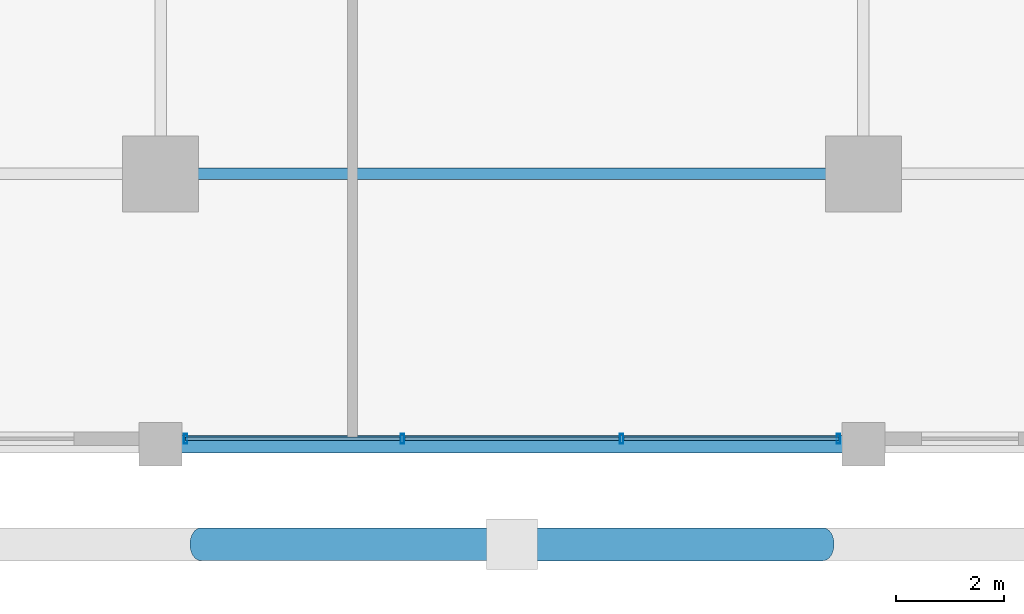
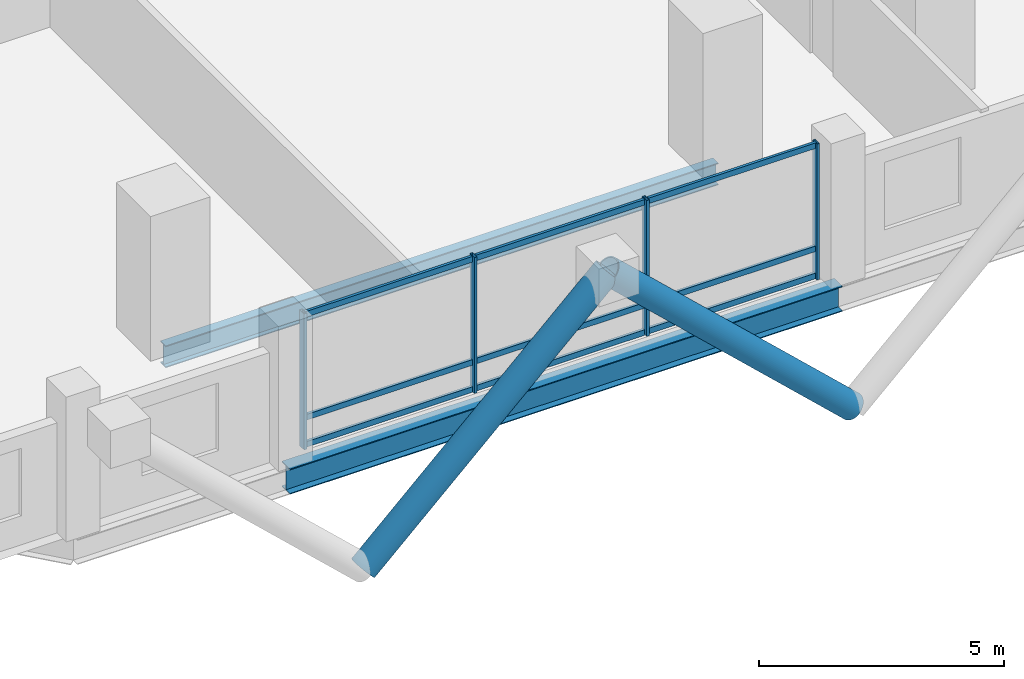
# One storey, part 2 of 21: 15 members, 2 beams, 1 element without a shape of its own.
"""IFC4 building model written with IfcOpenShell, lengths in metres."""

from ifc_helpers import new_model, si_unit, direction, frame, origin, origin_2d, place, context, subcontext, project, spatial, hollow_rectangle, hollow_circle, i_section, extrude, material, layer, layer_set, material_profile, profile_set, type_object, element, aggregate, save


model = new_model("IFC4")

# Units and contexts
model_context = context("Model", 3, precision=1e-05, world=origin(), true_north=direction((0.0, 1.0)))
body_context = subcontext(model_context, "Body", "Model", "MODEL_VIEW")
ifc_project = project(units=[si_unit("LENGTHUNIT", "METRE"), si_unit("AREAUNIT", "SQUARE_METRE"), si_unit("VOLUMEUNIT", "CUBIC_METRE"), si_unit("PLANEANGLEUNIT", "RADIAN"), si_unit("MASSUNIT", "GRAM", prefix="KILO")], contexts=[model_context])

# Site, building, storey
site_placement = place(None, origin())
site = spatial("IfcSite", under=ifc_project, at=site_placement, CompositionType="ELEMENT")
building_placement = place(site_placement, origin())
building = spatial("IfcBuilding", under=site, at=building_placement, Name="Barlavira Tower and Art Museum", CompositionType="ELEMENT")
storey_placement = place(building_placement, frame((0.0, 0.0, 79.199951171875)))
storey = spatial("IfcBuildingStorey", under=building, at=storey_placement, Name="L19", CompositionType="ELEMENT", Elevation=79.199951171875)

# Curtain wall, members
ifc_material_1 = material(Name="Low-iron coastal laminated glass", Category="glass")
ifc_layer = layer(ifc_material_1, 0.179931640625, Name="Low-iron coastal laminated glass")
ifc_layer_set = layer_set([ifc_layer], Name="Low-iron coastal laminated glass")
curtain_wall_type = type_object("IfcCurtainWallType", Name="Pale-Metal Unitised Curtain Wall Zone 1", PredefinedType="NOTDEFINED", material=ifc_layer_set)
curtain_wall_placement = place(storey_placement, origin())
curtain_wall = element("IfcCurtainWall", 1, at=curtain_wall_placement, inside=storey, type_object=curtain_wall_type, Name="L19 Curtain Wall CW1-L19-S-B3", PredefinedType="NOTDEFINED")
ifc_material_2 = material(Name="Pale anodised aluminium", Category="aluminium")
ifc_material_profile_1 = material_profile(ifc_material_2, hollow_rectangle(XDim=0.06494140625, YDim=0.179931640625, WallThickness=0.00390625, at=origin_2d()), Name="ALU-MULL 65x180x4")
ifc_profile_set_1 = profile_set([ifc_material_profile_1], Name="Pale anodised aluminium")
member_type_1 = type_object("IfcMemberType", Name="Curtain Wall Pale-Metal Mullion 65x180", PredefinedType="MULLION", material=ifc_profile_set_1)
member_1_placement = place(storey_placement, frame((-6.034912109375, -24.89990234375, 0.0), z_axis=(0.0, 0.0, 1.0), x_axis=(1.0, 0.0, 0.0)))
member_1 = element("IfcMember", 2, at=member_1_placement, type_object=member_type_1, Name="CW1-L19-S-B3 Mullion 0", PredefinedType="MULLION", context=body_context, shape_type="SweptSolid", body=[
    extrude(hollow_rectangle(XDim=0.06494140625, YDim=0.179931640625, WallThickness=0.00390625, at=origin_2d()), origin(), (0.0, 0.0, 1.0), 3.380126953125),
])
member_2_placement = place(storey_placement, frame((-2.026611328125, -24.89990234375, 0.0), z_axis=(0.0, 0.0, 1.0), x_axis=(1.0, 0.0, 0.0)))
member_2 = element("IfcMember", 3, at=member_2_placement, type_object=member_type_1, Name="CW1-L19-S-B3 Mullion 1", PredefinedType="MULLION", context=body_context, shape_type="SweptSolid", body=[
    extrude(hollow_rectangle(XDim=0.06494140625, YDim=0.179931640625, WallThickness=0.00390625, at=origin_2d()), origin(), (0.0, 0.0, 1.0), 3.380126953125),
])
member_3_placement = place(storey_placement, frame((2.026611328125, -24.89990234375, 0.0), z_axis=(0.0, 0.0, 1.0), x_axis=(1.0, 0.0, 0.0)))
member_3 = element("IfcMember", 4, at=member_3_placement, type_object=member_type_1, Name="CW1-L19-S-B3 Mullion 2", PredefinedType="MULLION", context=body_context, shape_type="SweptSolid", body=[
    extrude(hollow_rectangle(XDim=0.06494140625, YDim=0.179931640625, WallThickness=0.00390625, at=origin_2d()), origin(), (0.0, 0.0, 1.0), 3.380126953125),
])
member_4_placement = place(storey_placement, frame((6.034912109375, -24.89990234375, 0.0), z_axis=(0.0, 0.0, 1.0), x_axis=(1.0, 0.0, 0.0)))
member_4 = element("IfcMember", 5, at=member_4_placement, type_object=member_type_1, Name="CW1-L19-S-B3 Mullion 3", PredefinedType="MULLION", context=body_context, shape_type="SweptSolid", body=[
    extrude(hollow_rectangle(XDim=0.06494140625, YDim=0.179931640625, WallThickness=0.00390625, at=origin_2d()), origin(), (0.0, 0.0, 1.0), 3.380126953125),
])
ifc_material_profile_2 = material_profile(ifc_material_2, hollow_rectangle(XDim=0.06494140625, YDim=0.139892578125, WallThickness=0.00390625, at=origin_2d()), Name="ALU-TRAN 65x140x4")
ifc_profile_set_2 = profile_set([ifc_material_profile_2], Name="Pale anodised aluminium")
member_type_2 = type_object("IfcMemberType", Name="Curtain Wall Pale-Metal Transom 65x140", PredefinedType="USERDEFINED", material=ifc_profile_set_2)
member_5_placement = place(storey_placement, frame((-6.034912109375, -24.89990234375, 0.070068359375), z_axis=(1.0, 0.0, 0.0), x_axis=(0.0, 1.0, 0.0)))
member_5 = element("IfcMember", 6, at=member_5_placement, type_object=member_type_2, Name="CW1-L19-S-B3 Transom 0.1", ObjectType="TRANSOM", PredefinedType="USERDEFINED", context=body_context, shape_type="SweptSolid", body=[
    extrude(hollow_rectangle(XDim=0.06494140625, YDim=0.139892578125, WallThickness=0.00390625, at=origin_2d()), origin(), (0.0, 0.0, 1.0), 3.963134765625),
])
member_6_placement = place(storey_placement, frame((-6.034912109375, -24.89990234375, 0.744140625), z_axis=(1.0, 0.0, 0.0), x_axis=(0.0, 1.0, 0.0)))
member_6 = element("IfcMember", 7, at=member_6_placement, type_object=member_type_2, Name="CW1-L19-S-B3 Transom 0.2", ObjectType="TRANSOM", PredefinedType="USERDEFINED", context=body_context, shape_type="SweptSolid", body=[
    extrude(hollow_rectangle(XDim=0.06494140625, YDim=0.139892578125, WallThickness=0.00390625, at=origin_2d()), origin(), (0.0, 0.0, 1.0), 3.963134765625),
])
member_7_placement = place(storey_placement, frame((-6.034912109375, -24.89990234375, 3.31005859375), z_axis=(1.0, 0.0, 0.0), x_axis=(0.0, 1.0, 0.0)))
member_7 = element("IfcMember", 8, at=member_7_placement, type_object=member_type_2, Name="CW1-L19-S-B3 Transom 0.3", ObjectType="TRANSOM", PredefinedType="USERDEFINED", context=body_context, shape_type="SweptSolid", body=[
    extrude(hollow_rectangle(XDim=0.06494140625, YDim=0.139892578125, WallThickness=0.00390625, at=origin_2d()), origin(), (0.0, 0.0, 1.0), 3.963134765625),
])
member_8_placement = place(storey_placement, frame((-1.981689453125, -24.89990234375, 0.070068359375), z_axis=(1.0, 0.0, 0.0), x_axis=(0.0, 1.0, 0.0)))
member_8 = element("IfcMember", 9, at=member_8_placement, type_object=member_type_2, Name="CW1-L19-S-B3 Transom 1.1", ObjectType="TRANSOM", PredefinedType="USERDEFINED", context=body_context, shape_type="SweptSolid", body=[
    extrude(hollow_rectangle(XDim=0.06494140625, YDim=0.139892578125, WallThickness=0.00390625, at=origin_2d()), origin(), (0.0, 0.0, 1.0), 3.96337890625),
])
member_9_placement = place(storey_placement, frame((-1.981689453125, -24.89990234375, 0.744140625), z_axis=(1.0, 0.0, 0.0), x_axis=(0.0, 1.0, 0.0)))
member_9 = element("IfcMember", 10, at=member_9_placement, type_object=member_type_2, Name="CW1-L19-S-B3 Transom 1.2", ObjectType="TRANSOM", PredefinedType="USERDEFINED", context=body_context, shape_type="SweptSolid", body=[
    extrude(hollow_rectangle(XDim=0.06494140625, YDim=0.139892578125, WallThickness=0.00390625, at=origin_2d()), origin(), (0.0, 0.0, 1.0), 3.96337890625),
])
member_10_placement = place(storey_placement, frame((-1.981689453125, -24.89990234375, 3.31005859375), z_axis=(1.0, 0.0, 0.0), x_axis=(0.0, 1.0, 0.0)))
member_10 = element("IfcMember", 11, at=member_10_placement, type_object=member_type_2, Name="CW1-L19-S-B3 Transom 1.3", ObjectType="TRANSOM", PredefinedType="USERDEFINED", context=body_context, shape_type="SweptSolid", body=[
    extrude(hollow_rectangle(XDim=0.06494140625, YDim=0.139892578125, WallThickness=0.00390625, at=origin_2d()), origin(), (0.0, 0.0, 1.0), 3.96337890625),
])
member_11_placement = place(storey_placement, frame((2.07177734375, -24.89990234375, 0.070068359375), z_axis=(1.0, 0.0, 0.0), x_axis=(0.0, 1.0, 0.0)))
member_11 = element("IfcMember", 12, at=member_11_placement, type_object=member_type_2, Name="CW1-L19-S-B3 Transom 2.1", ObjectType="TRANSOM", PredefinedType="USERDEFINED", context=body_context, shape_type="SweptSolid", body=[
    extrude(hollow_rectangle(XDim=0.06494140625, YDim=0.139892578125, WallThickness=0.00390625, at=origin_2d()), origin(), (0.0, 0.0, 1.0), 3.963134765625),
])
member_12_placement = place(storey_placement, frame((2.07177734375, -24.89990234375, 0.744140625), z_axis=(1.0, 0.0, 0.0), x_axis=(0.0, 1.0, 0.0)))
member_12 = element("IfcMember", 13, at=member_12_placement, type_object=member_type_2, Name="CW1-L19-S-B3 Transom 2.2", ObjectType="TRANSOM", PredefinedType="USERDEFINED", context=body_context, shape_type="SweptSolid", body=[
    extrude(hollow_rectangle(XDim=0.06494140625, YDim=0.139892578125, WallThickness=0.00390625, at=origin_2d()), origin(), (0.0, 0.0, 1.0), 3.963134765625),
])
member_13_placement = place(storey_placement, frame((2.07177734375, -24.89990234375, 3.31005859375), z_axis=(1.0, 0.0, 0.0), x_axis=(0.0, 1.0, 0.0)))
member_13 = element("IfcMember", 14, at=member_13_placement, type_object=member_type_2, Name="CW1-L19-S-B3 Transom 2.3", ObjectType="TRANSOM", PredefinedType="USERDEFINED", context=body_context, shape_type="SweptSolid", body=[
    extrude(hollow_rectangle(XDim=0.06494140625, YDim=0.139892578125, WallThickness=0.00390625, at=origin_2d()), origin(), (0.0, 0.0, 1.0), 3.963134765625),
])
aggregate(curtain_wall, [member_1, member_2, member_3, member_4, member_5, member_6, member_7, member_8, member_9, member_10, member_11, member_12, member_13])

# Members
ifc_material_3 = material(Name="Steel S355", Category="steel")
ifc_material_profile_3 = material_profile(ifc_material_3, hollow_circle(Radius=0.304931640625, WallThickness=0.028076171875, at=origin_2d()), Name="CHS 610.0x28.0")
ifc_profile_set_3 = profile_set([ifc_material_profile_3], Name="Steel S355")
member_type_3 = type_object("IfcMemberType", Name="Pale-Metal Exoskeleton Diagrid Tube CHS 610x28 Steel S355", PredefinedType="BRACE", material=ifc_profile_set_3)
for number, where, z_axis, x_axis, name in (
    (15, (-5.75, -26.85009765625, -1.919921875), (0.728950095515, 0.0, 0.684566839869), (0.0, 1.0, 0.0), "L19 Exoskeleton Diagrid Tube S"),
    (16, (5.75, -26.85009765625, -1.919921875), (-0.728950095515, 0.0, 0.684566839869), (0.0, -1.0, 0.0), "L19 Exoskeleton Diagrid Tube S"),
):
    element("IfcMember", number, at=place(storey_placement, frame(where, z_axis=z_axis, x_axis=x_axis)), inside=storey, type_object=member_type_3, Name=name, PredefinedType="BRACE", context=body_context, shape_type="SweptSolid", body=[
        extrude(hollow_circle(Radius=0.304931640625, WallThickness=0.028076171875, at=origin_2d()), origin(), (0.0, 0.0, 1.0), 7.887939453125),
    ])

# Beams
ifc_material_profile_4 = material_profile(ifc_material_3, i_section(OverallWidth=0.327880859375, OverallDepth=0.62890625, WebThickness=0.013916015625, FlangeThickness=0.021484375, at=origin_2d()), Name="W610x174.0")
ifc_profile_set_4 = profile_set([ifc_material_profile_4], Name="Steel S355")
beam_type_1 = type_object("IfcBeamType", Name="Perimeter Spandrel Edge Beam W610x174 Steel S355", PredefinedType="SPANDREL", material=ifc_profile_set_4)
beam_1_placement = place(storey_placement, frame((-6.5, -25.0, -0.534423828125), z_axis=(1.0, 0.0, 0.0), x_axis=(0.0, 1.0, 0.0)))
element("IfcBeam", 17, at=beam_1_placement, inside=storey, type_object=beam_type_1, Name="L19 Spandrel 2", PredefinedType="SPANDREL", context=body_context, shape_type="SweptSolid", body=[
    extrude(i_section(OverallWidth=0.327880859375, OverallDepth=0.62890625, WebThickness=0.013916015625, FlangeThickness=0.021484375, at=origin_2d()), origin(), (0.0, 0.0, 1.0), 13.0),
])
ifc_material_profile_5 = material_profile(ifc_material_3, i_section(OverallWidth=0.214111328125, OverallDepth=0.549072265625, WebThickness=0.0146484375, FlangeThickness=0.023681640625, at=origin_2d()), Name="W530x138.0")
ifc_profile_set_5 = profile_set([ifc_material_profile_5], Name="Steel S355")
beam_type_2 = type_object("IfcBeamType", Name="Zone 1 Primary Floor Girder W530x138 Steel S355", PredefinedType="BEAM", material=ifc_profile_set_5)
beam_2_placement = place(storey_placement, frame((-6.5, -20.0, -0.494384765625), z_axis=(1.0, 0.0, 0.0), x_axis=(0.0, 1.0, 0.0)))
element("IfcBeam", 18, at=beam_2_placement, inside=storey, type_object=beam_type_2, Name="L19 Girder M-S2", PredefinedType="BEAM", context=body_context, shape_type="SweptSolid", body=[
    extrude(i_section(OverallWidth=0.214111328125, OverallDepth=0.549072265625, WebThickness=0.0146484375, FlangeThickness=0.023681640625, at=origin_2d()), origin(), (0.0, 0.0, 1.0), 13.0),
])

save(model, "model.ifc")
